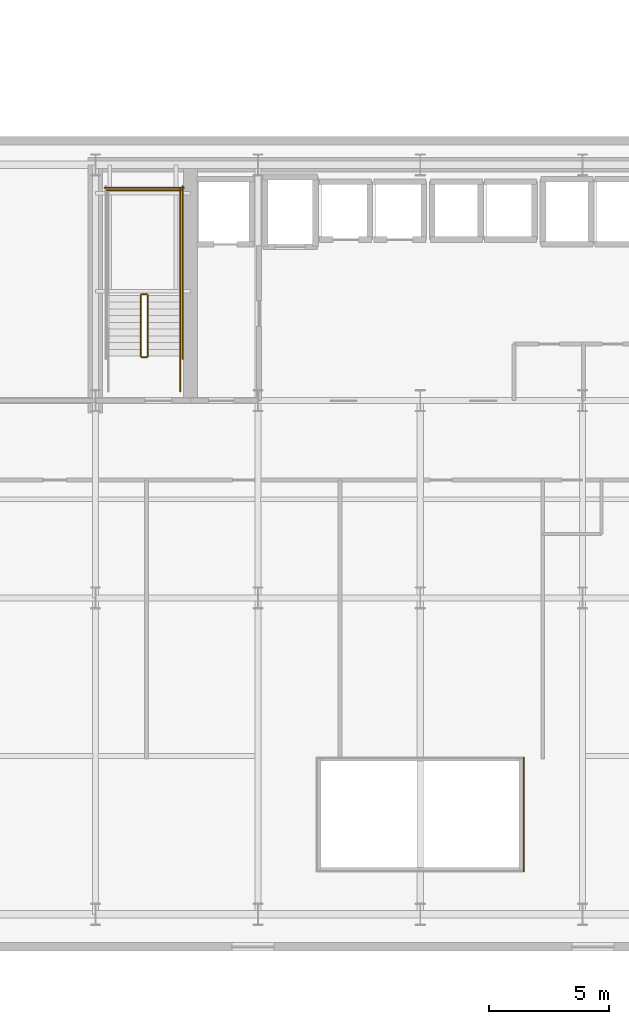
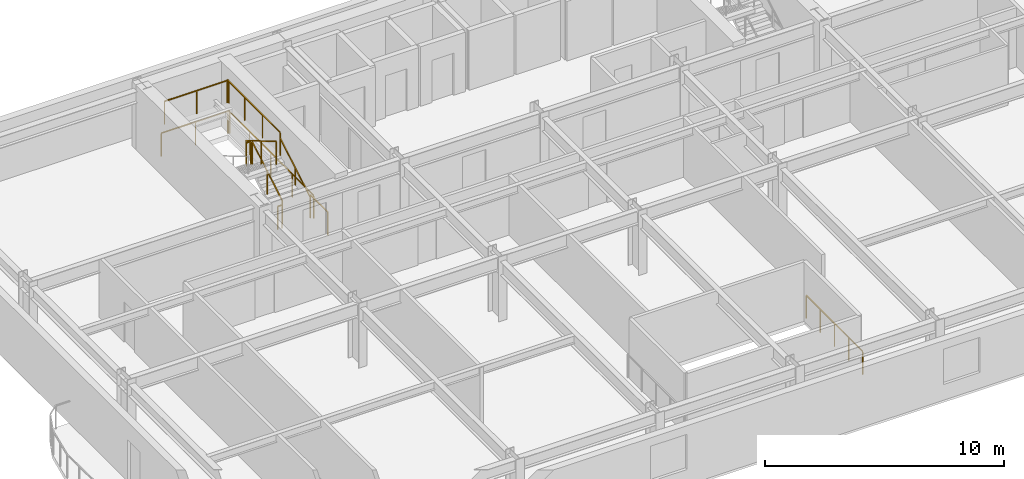
# One storey, part 12 of 16: 11 railings.
"""IFC4 building model written with IfcOpenShell, lengths in metres."""

from ifc_helpers import new_model, si_unit, direction, frame, origin, origin_2d, place, context, subcontext, project, spatial, rectangle, extrude, material, type_object, element, save


model = new_model("IFC4")

# Units and contexts
model_context = context("Model", 3, precision=1e-05, world=origin(), true_north=direction((0.0, 1.0)))
body_context = subcontext(model_context, "Body", "Model", "MODEL_VIEW")
ifc_project = project(units=[si_unit("LENGTHUNIT", "METRE"), si_unit("AREAUNIT", "SQUARE_METRE"), si_unit("VOLUMEUNIT", "CUBIC_METRE"), si_unit("PLANEANGLEUNIT", "RADIAN"), si_unit("MASSUNIT", "GRAM", prefix="KILO")], contexts=[model_context])

# Site, building, storey
site_placement = place(None, origin())
site = spatial("IfcSite", under=ifc_project, at=site_placement, CompositionType="ELEMENT")
building_placement = place(site_placement, origin())
building = spatial("IfcBuilding", under=site, at=building_placement, Name="Haevon Station Towers", CompositionType="ELEMENT")
storey_placement = place(building_placement, frame((0.0, 0.0, 53.699951171875)))
storey = spatial("IfcBuildingStorey", under=building, at=storey_placement, Name="L13", CompositionType="ELEMENT", Elevation=53.699951171875)

# Railings
ifc_material = material(Name="Steel S355", Category="steel")
railing_type_1 = type_object("IfcRailingType", Name="BAL-ATR1200", PredefinedType="BALUSTRADE", material=ifc_material)
railing_1_placement = place(storey_placement, frame((41.80517578125, 18.642333984375, 0.0)))
element("IfcRailing", 1, at=railing_1_placement, inside=storey, type_object=railing_type_1, Name="L13 Atrium Void Balustrade 2", PredefinedType="BALUSTRADE", context=body_context, shape_type="SweptSolid", body=[
    extrude(rectangle(XDim=0.048095703125, YDim=0.048095703125, at=origin_2d()), frame((0.0, 0.0, 1.17578125), z_axis=(0.0, 1.0, 0.0), x_axis=(-1.0, 0.0, 0.0)), (0.0, 0.0, 1.0), 4.71533203125),
    extrude(rectangle(XDim=0.0419921875, YDim=0.0419921875, at=origin_2d()), origin(), (0.0, 0.0, 1.0), 1.15185546875),
    extrude(rectangle(XDim=0.0419921875, YDim=0.0419921875, at=origin_2d()), frame((0.0, 1.1787109375, 0.0)), (0.0, 0.0, 1.0), 1.15185546875),
    extrude(rectangle(XDim=0.0419921875, YDim=0.0419921875, at=origin_2d()), frame((0.0, 2.357666015625, 0.0)), (0.0, 0.0, 1.0), 1.15185546875),
    extrude(rectangle(XDim=0.0419921875, YDim=0.0419921875, at=origin_2d()), frame((0.0, 3.53662109375, 0.0)), (0.0, 0.0, 1.0), 1.15185546875),
    extrude(rectangle(XDim=0.0419921875, YDim=0.0419921875, at=origin_2d()), frame((0.0, 4.71533203125, 0.0)), (0.0, 0.0, 1.0), 1.15185546875),
])
railing_type_2 = type_object("IfcRailingType", Name="GRD-STR1200", PredefinedType="GUARDRAIL", material=ifc_material)
railing_2_placement = place(storey_placement, frame((26.179931640625, 40.050048828125, 0.1650390625)))
element("IfcRailing", 2, at=railing_2_placement, inside=storey, type_object=railing_type_2, Name="L13 ST1 Stair Guard 1", PredefinedType="GUARDRAIL", context=body_context, shape_type="SweptSolid", body=[
    extrude(rectangle(XDim=0.048095703125, YDim=0.048095703125, at=origin_2d()), frame((0.0, 0.0, 1.17578125), z_axis=(0.0, 0.86152411907, 0.507716645641), x_axis=(-1.0, 0.0, 0.0)), (0.0, 0.0, 1.0), 2.925048828125),
    extrude(rectangle(XDim=0.0419921875, YDim=0.0419921875, at=origin_2d()), origin(), (0.0, 0.0, 1.0), 1.15185546875),
    extrude(rectangle(XDim=0.0419921875, YDim=0.0419921875, at=origin_2d()), frame((0.0, 1.260009765625, 0.74267578125)), (0.0, 0.0, 1.0), 1.15185546875),
    extrude(rectangle(XDim=0.0419921875, YDim=0.0419921875, at=origin_2d()), frame((0.0, 2.52001953125, 1.485107421875)), (0.0, 0.0, 1.0), 1.15185546875),
])
railing_3_placement = place(storey_placement, frame((26.1298828125, 42.6201171875, 1.650146484375)))
element("IfcRailing", 3, at=railing_3_placement, inside=storey, type_object=railing_type_2, Name="L13 ST1 Stair Guard 2", PredefinedType="GUARDRAIL", context=body_context, shape_type="SweptSolid", body=[
    extrude(rectangle(XDim=0.048095703125, YDim=0.048095703125, at=origin_2d()), frame((0.0, 0.0, 1.17578125), z_axis=(-1.0, 0.0, 0.0), x_axis=(0.0, -1.0, 0.0)), (0.0, 0.0, 1.0), 0.199951171875),
    extrude(rectangle(XDim=0.0419921875, YDim=0.0419921875, at=origin_2d()), origin(), (0.0, 0.0, 1.0), 1.15185546875),
    extrude(rectangle(XDim=0.0419921875, YDim=0.0419921875, at=origin_2d()), frame((-0.199951171875, 0.0, 0.0)), (0.0, 0.0, 1.0), 1.15185546875),
])
railing_4_placement = place(storey_placement, frame((27.530029296875, 42.570068359375, 1.650146484375)))
element("IfcRailing", 4, at=railing_4_placement, inside=storey, type_object=railing_type_2, Name="L13 ST1 Stair Guard 3", PredefinedType="GUARDRAIL", context=body_context, shape_type="SweptSolid", body=[
    extrude(rectangle(XDim=0.048095703125, YDim=0.048095703125, at=origin_2d()), frame((0.0, 0.0, 1.17578125), z_axis=(0.0, 1.0, 0.0), x_axis=(-1.0, 0.0, 0.0)), (0.0, 0.0, 1.0), 4.429931640625),
    extrude(rectangle(XDim=0.0419921875, YDim=0.0419921875, at=origin_2d()), origin(), (0.0, 0.0, 1.0), 1.15185546875),
    extrude(rectangle(XDim=0.0419921875, YDim=0.0419921875, at=origin_2d()), frame((0.0, 1.4765625, 0.0)), (0.0, 0.0, 1.0), 1.15185546875),
    extrude(rectangle(XDim=0.0419921875, YDim=0.0419921875, at=origin_2d()), frame((0.0, 2.953369140625, 0.0)), (0.0, 0.0, 1.0), 1.15185546875),
    extrude(rectangle(XDim=0.0419921875, YDim=0.0419921875, at=origin_2d()), frame((0.0, 4.429931640625, 0.0)), (0.0, 0.0, 1.0), 1.15185546875),
])
railing_5_placement = place(storey_placement, frame((27.580078125, 46.949951171875, 1.650146484375)))
element("IfcRailing", 5, at=railing_5_placement, inside=storey, type_object=railing_type_2, Name="L13 ST1 Stair Guard 5", PredefinedType="GUARDRAIL", context=body_context, shape_type="SweptSolid", body=[
    extrude(rectangle(XDim=0.048095703125, YDim=0.048095703125, at=origin_2d()), frame((0.0, 0.0, 1.17578125), z_axis=(-1.0, 0.0, 0.0), x_axis=(0.0, -1.0, 0.0)), (0.0, 0.0, 1.0), 3.10009765625),
    extrude(rectangle(XDim=0.0419921875, YDim=0.0419921875, at=origin_2d()), origin(), (0.0, 0.0, 1.0), 1.15185546875),
    extrude(rectangle(XDim=0.0419921875, YDim=0.0419921875, at=origin_2d()), frame((-1.550048828125, 0.0, 0.0)), (0.0, 0.0, 1.0), 1.15185546875),
    extrude(rectangle(XDim=0.0419921875, YDim=0.0419921875, at=origin_2d()), frame((-3.10009765625, 0.0, 0.0)), (0.0, 0.0, 1.0), 1.15185546875),
])
railing_6_placement = place(storey_placement, frame((25.8798828125, 42.570068359375, 1.81494140625)))
element("IfcRailing", 6, at=railing_6_placement, inside=storey, type_object=railing_type_2, Name="L13 ST1 Stair Guard 6", PredefinedType="GUARDRAIL", context=body_context, shape_type="SweptSolid", body=[
    extrude(rectangle(XDim=0.048095703125, YDim=0.048095703125, at=origin_2d()), frame((0.0, 0.0, 1.17578125), z_axis=(0.0, -0.86152411907, 0.507716645641), x_axis=(1.0, 0.0, 0.0)), (0.0, 0.0, 1.0), 2.925048828125),
    extrude(rectangle(XDim=0.0419921875, YDim=0.0419921875, at=origin_2d()), origin(), (0.0, 0.0, 1.0), 1.15185546875),
    extrude(rectangle(XDim=0.0419921875, YDim=0.0419921875, at=origin_2d()), frame((0.0, -1.260009765625, 0.74267578125)), (0.0, 0.0, 1.0), 1.15185546875),
    extrude(rectangle(XDim=0.0419921875, YDim=0.0419921875, at=origin_2d()), frame((0.0, -2.52001953125, 1.485107421875)), (0.0, 0.0, 1.0), 1.15185546875),
])
railing_7_placement = place(storey_placement, frame((26.1298828125, 40.0, 0.0)))
element("IfcRailing", 7, at=railing_7_placement, inside=storey, type_object=railing_type_2, Name="L13 ST1 Stair Guard 7", PredefinedType="GUARDRAIL", context=body_context, shape_type="SweptSolid", body=[
    extrude(rectangle(XDim=0.048095703125, YDim=0.048095703125, at=origin_2d()), frame((0.0, 0.0, 1.17578125), z_axis=(-1.0, 0.0, 0.0), x_axis=(0.0, -1.0, 0.0)), (0.0, 0.0, 1.0), 0.199951171875),
    extrude(rectangle(XDim=0.0419921875, YDim=0.0419921875, at=origin_2d()), origin(), (0.0, 0.0, 1.0), 1.15185546875),
    extrude(rectangle(XDim=0.0419921875, YDim=0.0419921875, at=origin_2d()), frame((-0.199951171875, 0.0, 0.0)), (0.0, 0.0, 1.0), 1.15185546875),
])
railing_8_placement = place(storey_placement, frame((27.530029296875, 38.60009765625, 0.0)))
element("IfcRailing", 8, at=railing_8_placement, inside=storey, type_object=railing_type_2, Name="L13 ST1 Stair Guard 8", PredefinedType="GUARDRAIL", context=body_context, shape_type="SweptSolid", body=[
    extrude(rectangle(XDim=0.048095703125, YDim=0.048095703125, at=origin_2d()), frame((0.0, 0.0, 1.17578125), z_axis=(0.0, 1.0, 0.0), x_axis=(-1.0, 0.0, 0.0)), (0.0, 0.0, 1.0), 1.449951171875),
    extrude(rectangle(XDim=0.0419921875, YDim=0.0419921875, at=origin_2d()), origin(), (0.0, 0.0, 1.0), 1.15185546875),
    extrude(rectangle(XDim=0.0419921875, YDim=0.0419921875, at=origin_2d()), frame((0.0, 1.449951171875, 0.0)), (0.0, 0.0, 1.0), 1.15185546875),
])
railing_9_placement = place(storey_placement, frame((27.6298828125, 39.949951171875, 0.0)))
element("IfcRailing", 9, at=railing_9_placement, inside=storey, type_object=railing_type_2, Name="L13 ST1 Stair Guard 10", PredefinedType="GUARDRAIL", context=body_context, shape_type="SweptSolid", body=[
    extrude(rectangle(XDim=0.048095703125, YDim=0.048095703125, at=origin_2d()), frame((0.0, 0.0, 1.17578125), z_axis=(0.0, 1.0, 0.0), x_axis=(-1.0, 0.0, 0.0)), (0.0, 0.0, 1.0), 7.150146484375),
    extrude(rectangle(XDim=0.0419921875, YDim=0.0419921875, at=origin_2d()), origin(), (0.0, 0.0, 1.0), 1.15185546875),
    extrude(rectangle(XDim=0.0419921875, YDim=0.0419921875, at=origin_2d()), frame((0.0, 1.78759765625, 0.0)), (0.0, 0.0, 1.0), 1.15185546875),
    extrude(rectangle(XDim=0.0419921875, YDim=0.0419921875, at=origin_2d()), frame((0.0, 3.5751953125, 0.0)), (0.0, 0.0, 1.0), 1.15185546875),
    extrude(rectangle(XDim=0.0419921875, YDim=0.0419921875, at=origin_2d()), frame((0.0, 5.362548828125, 0.0)), (0.0, 0.0, 1.0), 1.15185546875),
    extrude(rectangle(XDim=0.0419921875, YDim=0.0419921875, at=origin_2d()), frame((0.0, 7.150146484375, 0.0)), (0.0, 0.0, 1.0), 1.15185546875),
])
railing_10_placement = place(storey_placement, frame((27.679931640625, 47.050048828125, 0.0)))
element("IfcRailing", 10, at=railing_10_placement, inside=storey, type_object=railing_type_2, Name="L13 ST1 Stair Guard 12", PredefinedType="GUARDRAIL", context=body_context, shape_type="SweptSolid", body=[
    extrude(rectangle(XDim=0.048095703125, YDim=0.048095703125, at=origin_2d()), frame((0.0, 0.0, 1.17578125), z_axis=(-1.0, 0.0, 0.0), x_axis=(0.0, -1.0, 0.0)), (0.0, 0.0, 1.0), 3.300048828125),
    extrude(rectangle(XDim=0.0419921875, YDim=0.0419921875, at=origin_2d()), origin(), (0.0, 0.0, 1.0), 1.15185546875),
    extrude(rectangle(XDim=0.0419921875, YDim=0.0419921875, at=origin_2d()), frame((-1.64990234375, 0.0, 0.0)), (0.0, 0.0, 1.0), 1.15185546875),
    extrude(rectangle(XDim=0.0419921875, YDim=0.0419921875, at=origin_2d()), frame((-3.300048828125, 0.0, 0.0)), (0.0, 0.0, 1.0), 1.15185546875),
])
railing_type_3 = type_object("IfcRailingType", Name="HND-STR900", PredefinedType="HANDRAIL", material=ifc_material)
railing_11_placement = place(storey_placement, frame((27.530029296875, 40.050048828125, 0.1650390625)))
element("IfcRailing", 11, at=railing_11_placement, inside=storey, type_object=railing_type_3, Name="L13 ST1 Stair Handrail 1", PredefinedType="HANDRAIL", context=body_context, shape_type="SweptSolid", body=[
    extrude(rectangle(XDim=0.048095703125, YDim=0.048095703125, at=origin_2d()), frame((0.0, 0.0, 0.8759765625), z_axis=(0.0, 0.86152411907, 0.507716645641), x_axis=(-1.0, 0.0, 0.0)), (0.0, 0.0, 1.0), 2.925048828125),
    extrude(rectangle(XDim=0.0419921875, YDim=0.0419921875, at=origin_2d()), origin(), (0.0, 0.0, 1.0), 0.851806640625),
    extrude(rectangle(XDim=0.0419921875, YDim=0.0419921875, at=origin_2d()), frame((0.0, 1.260009765625, 0.74267578125)), (0.0, 0.0, 1.0), 0.851806640625),
    extrude(rectangle(XDim=0.0419921875, YDim=0.0419921875, at=origin_2d()), frame((0.0, 2.52001953125, 1.485107421875)), (0.0, 0.0, 1.0), 0.851806640625),
])

save(model, "model.ifc")
